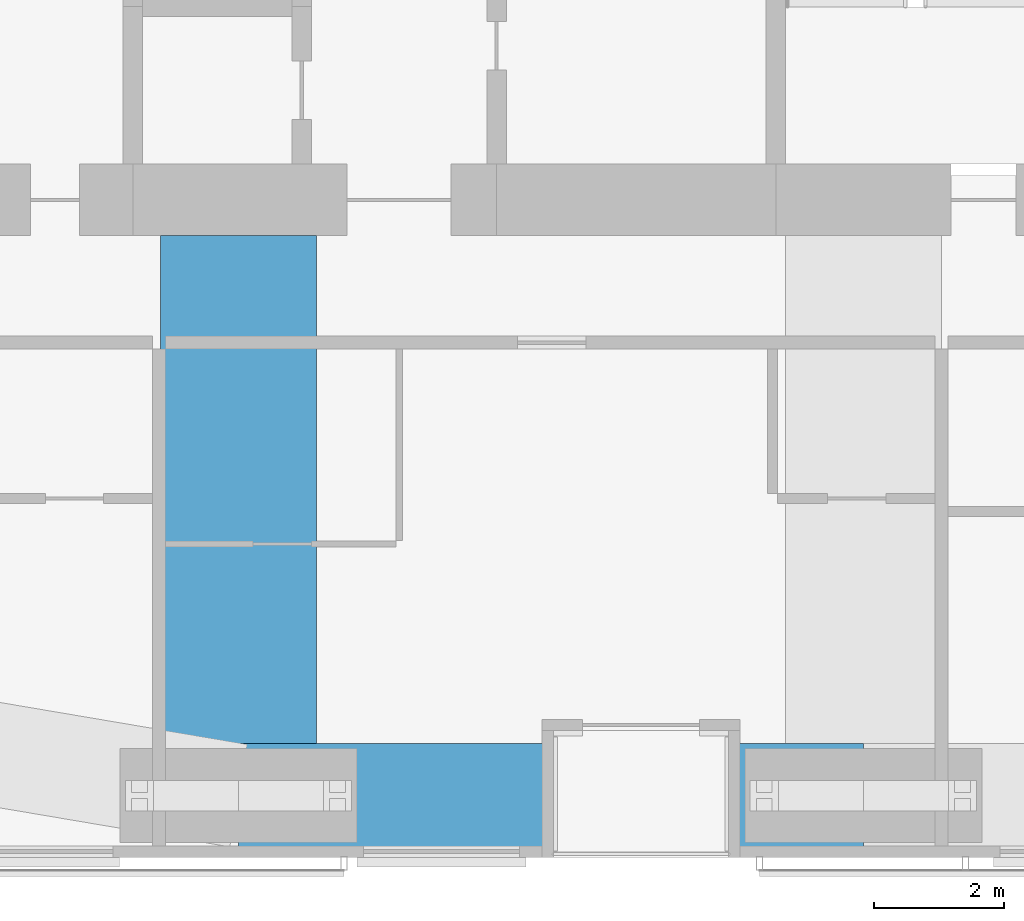
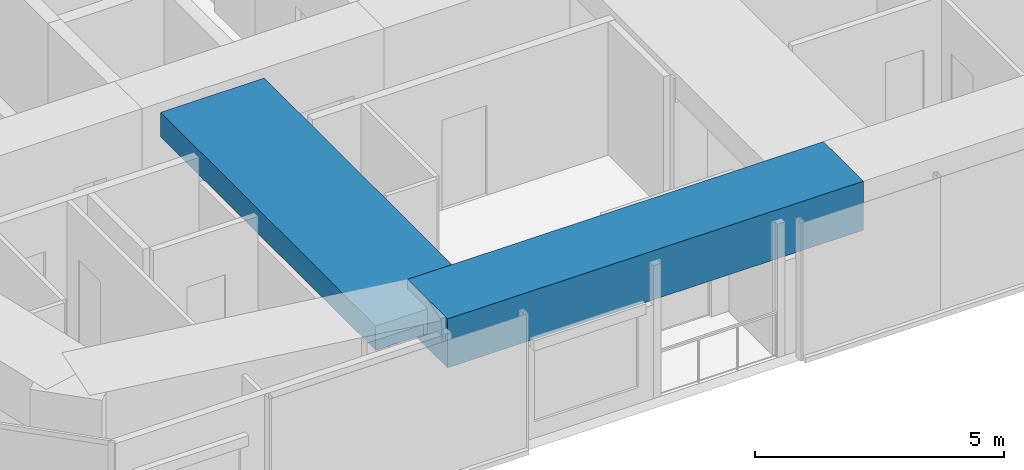
# One storey, part 3 of 19: 2 beams.
"""IFC4 building model written with IfcOpenShell, lengths in metres."""

from ifc_helpers import new_model, si_unit, direction, frame, origin, origin_2d, place, context, subcontext, project, spatial, rectangle, extrude, material, material_profile, profile_set, type_object, element, save


model = new_model("IFC4")

# Units and contexts
model_context = context("Model", 3, precision=1e-05, world=origin(), true_north=direction((0.0, 1.0)))
body_context = subcontext(model_context, "Body", "Model", "MODEL_VIEW")
ifc_project = project(units=[si_unit("LENGTHUNIT", "METRE"), si_unit("AREAUNIT", "SQUARE_METRE"), si_unit("VOLUMEUNIT", "CUBIC_METRE"), si_unit("PLANEANGLEUNIT", "RADIAN"), si_unit("MASSUNIT", "GRAM", prefix="KILO")], contexts=[model_context])

# Site, building, storey
site_placement = place(None, origin())
site = spatial("IfcSite", under=ifc_project, at=site_placement, CompositionType="ELEMENT")
building_placement = place(site_placement, origin())
building = spatial("IfcBuilding", under=site, at=building_placement, Name="Jalousie Tower", CompositionType="ELEMENT")
storey_placement = place(building_placement, frame((0.0, 0.0, 224.949951171875)))
storey = spatial("IfcBuildingStorey", under=building, at=storey_placement, Name="L61", CompositionType="ELEMENT", Elevation=224.949951171875)

# Beams
ifc_material_1 = material(Name="Concrete f'c 40 MPa", Category="concrete")
ifc_material_profile_1 = material_profile(ifc_material_1, rectangle(XDim=1.60009765625, YDim=1.199951171875, at=origin_2d()), Name="RC 1600x1200")
ifc_profile_set_1 = profile_set([ifc_material_profile_1], Name="Concrete f'c 40 MPa")
beam_type_1 = type_object("IfcBeamType", Name="RC BEAM 1600x1200", PredefinedType="BEAM", material=ifc_profile_set_1)
beam_1_placement = place(storey_placement, frame((27.625, 0.949951171875, 2.900146484375), z_axis=(1.0, 0.0, 0.0), x_axis=(0.0, 1.0, 0.0)))
element("IfcBeam", 1, at=beam_1_placement, inside=storey, type_object=beam_type_1, Name="Edge band beam 02-03 under L62", PredefinedType="BEAM", context=body_context, shape_type="SweptSolid", body=[
    extrude(rectangle(XDim=1.60009765625, YDim=1.199951171875, at=origin_2d()), origin(), (0.0, 0.0, 1.0), 9.625),
])
ifc_material_2 = material(Name="Concrete f'c 40 MPa", Category="concrete")
ifc_material_profile_2 = material_profile(ifc_material_2, rectangle(XDim=2.39990234375, YDim=0.60009765625, at=origin_2d()), Name="RC 2400x600")
ifc_profile_set_2 = profile_set([ifc_material_profile_2], Name="Concrete f'c 40 MPa")
beam_type_2 = type_object("IfcBeamType", Name="RC BEAM 2400x600", PredefinedType="BEAM", material=ifc_profile_set_2)
beam_2_placement = place(storey_placement, frame((27.625, 0.949951171875, 2.9599609375), z_axis=(0.0, 1.0, 0.0), x_axis=(-1.0, 0.0, 0.0)))
element("IfcBeam", 2, at=beam_2_placement, inside=storey, type_object=beam_type_2, Name="Floor band beam under L62", PredefinedType="BEAM", context=body_context, shape_type="SweptSolid", body=[
    extrude(rectangle(XDim=2.39990234375, YDim=0.60009765625, at=origin_2d()), origin(), (0.0, 0.0, 1.0), 8.625),
])

save(model, "model.ifc")
